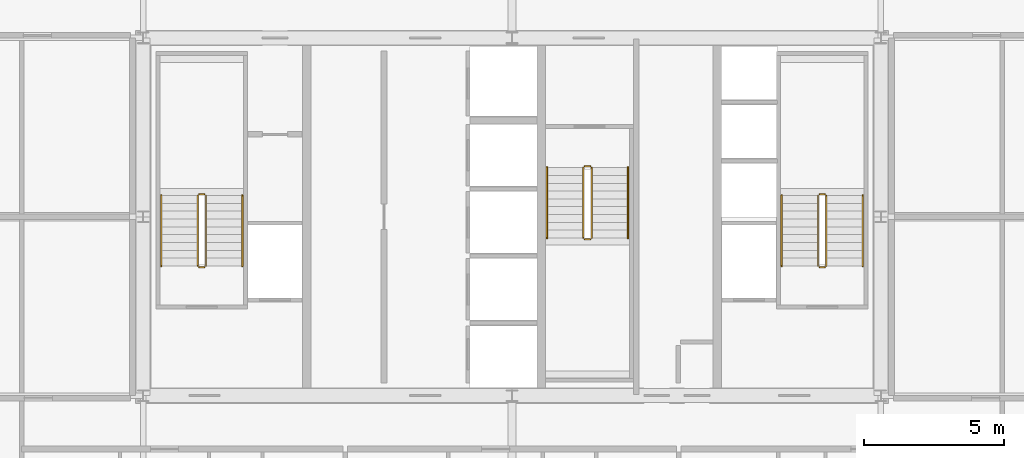
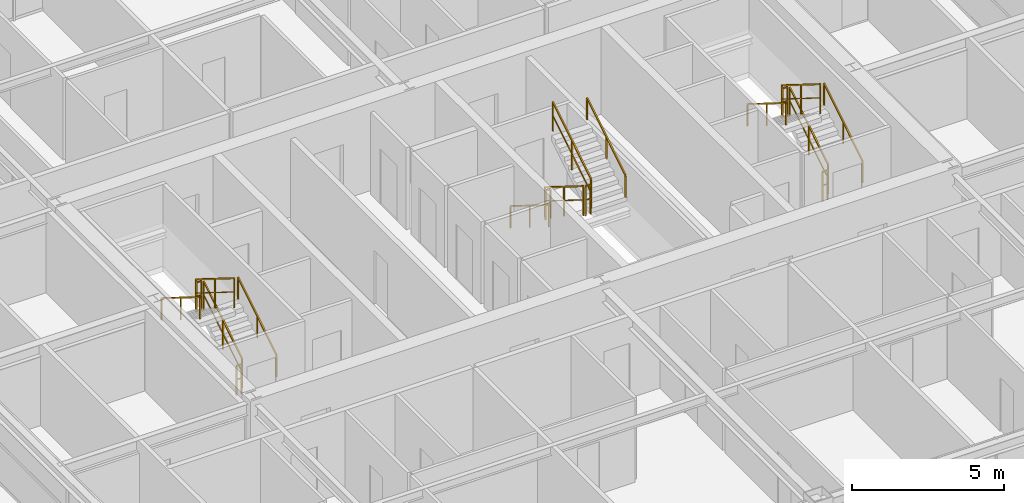
# One storey, part 37 of 37: 18 railings.
"""IFC4 building model written with IfcOpenShell, lengths in metres."""

from ifc_helpers import new_model, si_unit, direction, frame, origin, origin_2d, place, context, subcontext, project, spatial, rectangle, extrude, source, transform, mapped, material, layer, layer_set, type_object, element, save


model = new_model("IFC4")

# Units and contexts
model_context = context("Model", 3, precision=1e-05, world=origin(), true_north=direction((0.0, 1.0)))
body_context = subcontext(model_context, "Body", "Model", "MODEL_VIEW")
ifc_project = project(units=[si_unit("LENGTHUNIT", "METRE"), si_unit("AREAUNIT", "SQUARE_METRE"), si_unit("VOLUMEUNIT", "CUBIC_METRE"), si_unit("PLANEANGLEUNIT", "RADIAN"), si_unit("MASSUNIT", "GRAM", prefix="KILO"), si_unit("THERMODYNAMICTEMPERATUREUNIT", "KELVIN"), si_unit("POWERUNIT", "WATT")], contexts=[model_context])

# Site, building, storey
site_placement = place(None, origin())
site = spatial("IfcSite", under=ifc_project, at=site_placement, CompositionType="ELEMENT")
building_placement = place(site_placement, origin())
building = spatial("IfcBuilding", under=site, at=building_placement, Name="Yuzanri Waterfront Tower", CompositionType="ELEMENT")
storey_placement = place(building_placement, frame((0.0, 0.0, 245.10009765625)))
storey = spatial("IfcBuildingStorey", under=building, at=storey_placement, Name="L65", CompositionType="ELEMENT", Elevation=245.10009765625)

# Railings
ifc_material_1 = material(Name="Painted Galvanized Fire Steel", Category="steel")
ifc_layer_1 = layer(ifc_material_1, 0.06005859375)
ifc_layer_set_1 = layer_set([ifc_layer_1], Name="Painted Galvanized Fire Steel")
railing_type_1 = type_object("IfcRailingType", Name="Painted Steel Stairwell Guardrail 1120", PredefinedType="GUARDRAIL", material=ifc_layer_set_1)
shared_shape_1 = source(origin(), body_context, "Body", "SweptSolid", [
    extrude(rectangle(XDim=0.050048828125, YDim=0.050048828125, at=origin_2d()), frame((0.0, 0.0, 1.1748046875), z_axis=(-1.0, 0.0, 0.0), x_axis=(0.0, -1.0, 0.0)), (0.0, 0.0, 1.0), 0.199951171875),
    extrude(rectangle(XDim=0.035888671875, YDim=0.030029296875, at=origin_2d()), frame((0.0, 0.0, 0.6240234375), z_axis=(-1.0, 0.0, 0.0), x_axis=(0.0, -1.0, 0.0)), (0.0, 0.0, 1.0), 0.199951171875),
    extrude(rectangle(XDim=0.0458984375, YDim=0.0458984375, at=origin_2d()), origin(), (0.0, 0.0, 1.0), 1.14990234375),
    extrude(rectangle(XDim=0.0458984375, YDim=0.0458984375, at=origin_2d()), frame((-0.199951171875, 0.0, 0.0)), (0.0, 0.0, 1.0), 1.14990234375),
])
for number, where, name in (
    (1, (26.0, 26.610107421875, 1.75), "L65 ST-01 stair guard 2"),
    (2, (26.0, 23.989990234375, 0.0), "L65 ST-01 stair guard 4"),
    (3, (48.199951171875, 26.610107421875, 1.75), "L65 ST-02 stair guard 2"),
    (4, (48.199951171875, 23.989990234375, 0.0), "L65 ST-02 stair guard 4"),
):
    element("IfcRailing", number, at=place(storey_placement, frame(where)), inside=storey, type_object=railing_type_1, Name=name, PredefinedType="GUARDRAIL", context=body_context, shape_type="MappedRepresentation", body=[
        mapped(shared_shape_1, transform((0.0, 0.0, 0.0), scale=1.0)),
    ])
shared_shape_2 = source(origin(), body_context, "Body", "SweptSolid", [
    extrude(rectangle(XDim=0.050048828125, YDim=0.050048828125, at=origin_2d()), frame((0.0, 0.0, 1.1748046875), z_axis=(0.0, 0.847970611238, 0.530043245855), x_axis=(-1.0, 0.0, 0.0)), (0.0, 0.0, 1.0), 2.971923828125),
    extrude(rectangle(XDim=0.035888671875, YDim=0.030029296875, at=origin_2d()), frame((0.0, 0.0, 0.6240234375), z_axis=(0.0, 0.847970611238, 0.530043245855), x_axis=(-1.0, 0.0, 0.0)), (0.0, 0.0, 1.0), 2.971923828125),
    extrude(rectangle(XDim=0.0458984375, YDim=0.0458984375, at=origin_2d()), origin(), (0.0, 0.0, 1.0), 1.14990234375),
    extrude(rectangle(XDim=0.0458984375, YDim=0.0458984375, at=origin_2d()), frame((0.0, 1.260009765625, 0.78759765625)), (0.0, 0.0, 1.0), 1.14990234375),
    extrude(rectangle(XDim=0.0458984375, YDim=0.0458984375, at=origin_2d()), frame((0.0, 2.52001953125, 1.5751953125)), (0.0, 0.0, 1.0), 1.14990234375),
])
for number, where, name in (
    (5, (26.050048828125, 24.0400390625, 0.1748046875), "L65 ST-01 stair guard 1"),
    (6, (48.25, 24.0400390625, 0.1748046875), "L65 ST-02 stair guard 1"),
    (7, (39.85009765625, 25.0400390625, 1.9248046875), "L65 ST-03 stair guard 3"),
):
    element("IfcRailing", number, at=place(storey_placement, frame(where)), inside=storey, type_object=railing_type_1, Name=name, PredefinedType="GUARDRAIL", context=body_context, shape_type="MappedRepresentation", body=[
        mapped(shared_shape_2, transform((0.0, 0.0, 0.0), scale=1.0)),
    ])
shared_shape_3 = source(origin(), body_context, "Body", "SweptSolid", [
    extrude(rectangle(XDim=0.050048828125, YDim=0.050048828125, at=origin_2d()), frame((0.0, 0.0, 1.1748046875), z_axis=(0.0, -0.847970611238, 0.530043245855), x_axis=(1.0, 0.0, 0.0)), (0.0, 0.0, 1.0), 2.971923828125),
    extrude(rectangle(XDim=0.035888671875, YDim=0.030029296875, at=origin_2d()), frame((0.0, 0.0, 0.6240234375), z_axis=(0.0, -0.847970611238, 0.530043245855), x_axis=(1.0, 0.0, 0.0)), (0.0, 0.0, 1.0), 2.971923828125),
    extrude(rectangle(XDim=0.0458984375, YDim=0.0458984375, at=origin_2d()), origin(), (0.0, 0.0, 1.0), 1.14990234375),
    extrude(rectangle(XDim=0.0458984375, YDim=0.0458984375, at=origin_2d()), frame((0.0, -1.260009765625, 0.78759765625)), (0.0, 0.0, 1.0), 1.14990234375),
    extrude(rectangle(XDim=0.0458984375, YDim=0.0458984375, at=origin_2d()), frame((0.0, -2.52001953125, 1.5751953125)), (0.0, 0.0, 1.0), 1.14990234375),
])
for number, where, name in (
    (8, (25.75, 26.56005859375, 1.9248046875), "L65 ST-01 stair guard 3"),
    (9, (47.949951171875, 26.56005859375, 1.9248046875), "L65 ST-02 stair guard 3"),
    (10, (39.550048828125, 27.56005859375, 0.1748046875), "L65 ST-03 stair guard 1"),
):
    element("IfcRailing", number, at=place(storey_placement, frame(where)), inside=storey, type_object=railing_type_1, Name=name, PredefinedType="GUARDRAIL", context=body_context, shape_type="MappedRepresentation", body=[
        mapped(shared_shape_3, transform((0.0, 0.0, 0.0), scale=1.0)),
    ])
ifc_material_2 = material(Name="Anodized Architectural Bronze", Category="metal")
ifc_layer_2 = layer(ifc_material_2, 0.050048828125)
ifc_layer_set_2 = layer_set([ifc_layer_2], Name="Anodized Architectural Bronze")
railing_type_2 = type_object("IfcRailingType", Name="Brushed Bronze Stair Pitch Handrail 920", PredefinedType="HANDRAIL", material=ifc_layer_set_2)
shared_shape_4 = source(origin(), body_context, "Body", "SweptSolid", [
    extrude(rectangle(XDim=0.050048828125, YDim=0.050048828125, at=origin_2d()), frame((0.0, 0.0, 0.875), z_axis=(0.0, 0.847970611238, 0.530043245855), x_axis=(-1.0, 0.0, 0.0)), (0.0, 0.0, 1.0), 2.971923828125),
    extrude(rectangle(XDim=0.0458984375, YDim=0.0458984375, at=origin_2d()), origin(), (0.0, 0.0, 1.0), 0.849853515625),
    extrude(rectangle(XDim=0.0458984375, YDim=0.0458984375, at=origin_2d()), frame((0.0, 1.260009765625, 0.78759765625)), (0.0, 0.0, 1.0), 0.849853515625),
    extrude(rectangle(XDim=0.0458984375, YDim=0.0458984375, at=origin_2d()), frame((0.0, 2.52001953125, 1.5751953125)), (0.0, 0.0, 1.0), 0.849853515625),
])
for number, where, name in (
    (11, (27.35009765625, 24.0400390625, 0.1748046875), "L65 ST-01 stair handrail 1"),
    (12, (49.550048828125, 24.0400390625, 0.1748046875), "L65 ST-02 stair handrail 1"),
    (13, (41.14990234375, 25.0400390625, 1.9248046875), "L65 ST-03 stair handrail 2"),
):
    element("IfcRailing", number, at=place(storey_placement, frame(where)), inside=storey, type_object=railing_type_2, Name=name, PredefinedType="HANDRAIL", context=body_context, shape_type="MappedRepresentation", body=[
        mapped(shared_shape_4, transform((0.0, 0.0, 0.0), scale=1.0)),
    ])
shared_shape_5 = source(origin(), body_context, "Body", "SweptSolid", [
    extrude(rectangle(XDim=0.050048828125, YDim=0.050048828125, at=origin_2d()), frame((0.0, 0.0, 0.875), z_axis=(0.0, -0.847970611238, 0.530043245855), x_axis=(1.0, 0.0, 0.0)), (0.0, 0.0, 1.0), 2.971923828125),
    extrude(rectangle(XDim=0.0458984375, YDim=0.0458984375, at=origin_2d()), origin(), (0.0, 0.0, 1.0), 0.849853515625),
    extrude(rectangle(XDim=0.0458984375, YDim=0.0458984375, at=origin_2d()), frame((0.0, -1.260009765625, 0.78759765625)), (0.0, 0.0, 1.0), 0.849853515625),
    extrude(rectangle(XDim=0.0458984375, YDim=0.0458984375, at=origin_2d()), frame((0.0, -2.52001953125, 1.5751953125)), (0.0, 0.0, 1.0), 0.849853515625),
])
for number, where, name in (
    (14, (24.449951171875, 26.56005859375, 1.9248046875), "L65 ST-01 stair handrail 2"),
    (15, (46.64990234375, 26.56005859375, 1.9248046875), "L65 ST-02 stair handrail 2"),
    (16, (38.25, 27.56005859375, 0.1748046875), "L65 ST-03 stair handrail 1"),
):
    element("IfcRailing", number, at=place(storey_placement, frame(where)), inside=storey, type_object=railing_type_2, Name=name, PredefinedType="HANDRAIL", context=body_context, shape_type="MappedRepresentation", body=[
        mapped(shared_shape_5, transform((0.0, 0.0, 0.0), scale=1.0)),
    ])
shared_shape_6 = source(origin(), body_context, "Body", "SweptSolid", [
    extrude(rectangle(XDim=0.050048828125, YDim=0.050048828125, at=origin_2d()), frame((0.0, 0.0, 1.1748046875), z_axis=(1.0, 0.0, 0.0), x_axis=(0.0, 1.0, 0.0)), (0.0, 0.0, 1.0), 0.199951171875),
    extrude(rectangle(XDim=0.035888671875, YDim=0.030029296875, at=origin_2d()), frame((0.0, 0.0, 0.6240234375), z_axis=(1.0, 0.0, 0.0), x_axis=(0.0, 1.0, 0.0)), (0.0, 0.0, 1.0), 0.199951171875),
    extrude(rectangle(XDim=0.0458984375, YDim=0.0458984375, at=origin_2d()), origin(), (0.0, 0.0, 1.0), 1.14990234375),
    extrude(rectangle(XDim=0.0458984375, YDim=0.0458984375, at=origin_2d()), frame((0.199951171875, 0.0, 0.0)), (0.0, 0.0, 1.0), 1.14990234375),
])
for number, where, name in (
    (17, (39.60009765625, 24.989990234375, 1.75), "L65 ST-03 stair guard 2"),
    (18, (39.60009765625, 27.610107421875, 0.0), "L65 ST-03 stair guard 4"),
):
    element("IfcRailing", number, at=place(storey_placement, frame(where)), inside=storey, type_object=railing_type_1, Name=name, PredefinedType="GUARDRAIL", context=body_context, shape_type="MappedRepresentation", body=[
        mapped(shared_shape_6, transform((0.0, 0.0, 0.0), scale=1.0)),
    ])

save(model, "model.ifc")
